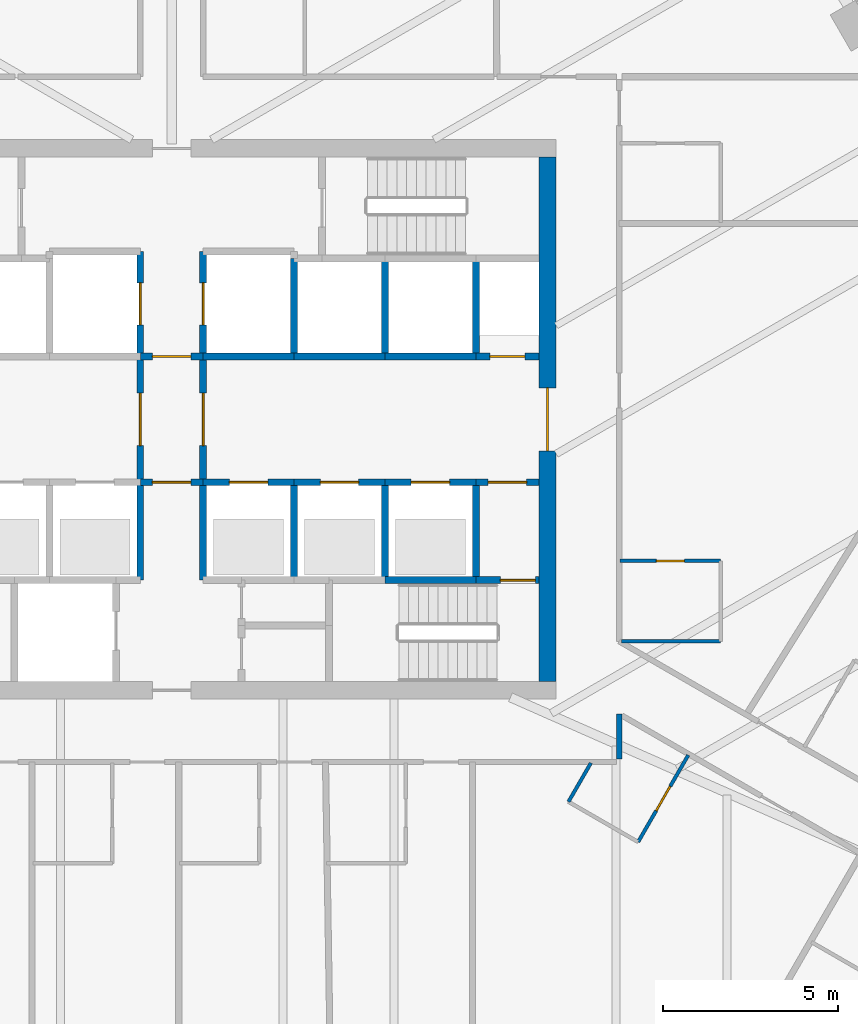
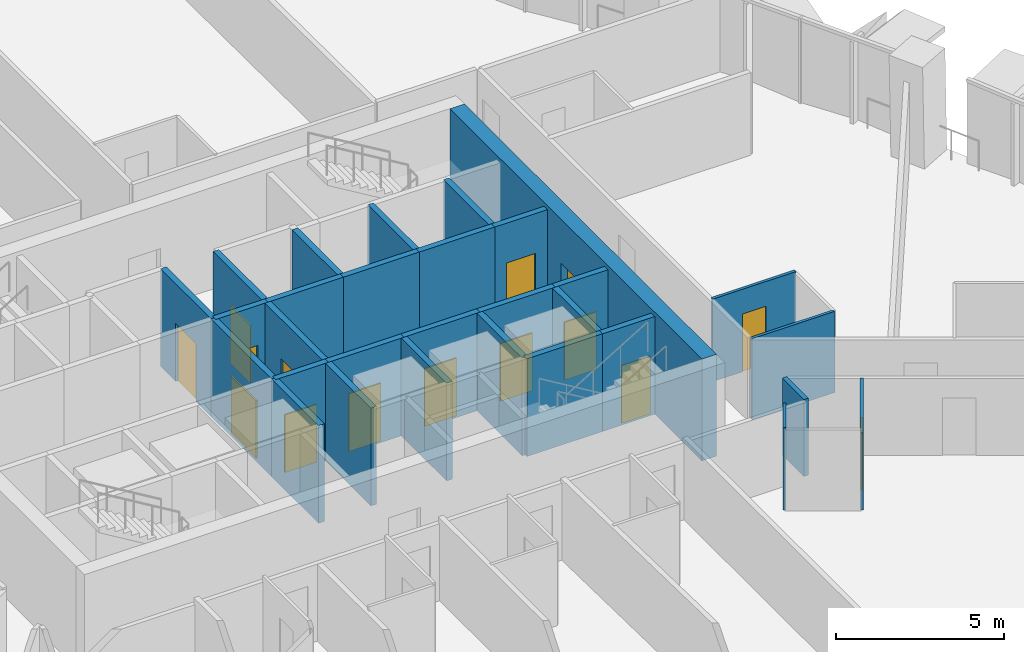
# One storey, part 17 of 24: 30 walls, 15 doors, 15 openings.
"""IFC4 building model written with IfcOpenShell, lengths in metres."""

from ifc_helpers import new_model, si_unit, direction, frame, frame_2d, origin, place, context, subcontext, project, spatial, rectangle, extrude, material, layer, layer_set, type_object, element, fill, save


model = new_model("IFC4")

# Units and contexts
model_context = context("Model", 3, precision=1e-05, world=origin(), true_north=direction((0.0, 1.0)))
body_context = subcontext(model_context, "Body", "Model", "MODEL_VIEW")
ifc_project = project(units=[si_unit("LENGTHUNIT", "METRE"), si_unit("AREAUNIT", "SQUARE_METRE"), si_unit("VOLUMEUNIT", "CUBIC_METRE"), si_unit("PLANEANGLEUNIT", "RADIAN"), si_unit("MASSUNIT", "GRAM", prefix="KILO")], contexts=[model_context])

# Site, building, storey
site_placement = place(None, origin())
site = spatial("IfcSite", under=ifc_project, at=site_placement, CompositionType="ELEMENT")
building_placement = place(site_placement, origin())
building = spatial("IfcBuilding", under=site, at=building_placement, Name="Sierra Prisma Convention Tower", CompositionType="ELEMENT")
storey_placement = place(building_placement, frame((0.0, 0.0, 55.39990234375)))
storey = spatial("IfcBuildingStorey", under=building, at=storey_placement, Name="L09", CompositionType="ELEMENT", Elevation=55.39990234375)

# Wall, opening, door
ifc_material_1 = material(Name="Gypsum board partition", Category="gypsum")
ifc_layer_1 = layer(ifc_material_1, 0.10009765625)
ifc_layer_set_1 = layer_set([ifc_layer_1], Name="Bathroom partition 100")
wall_type_1 = type_object("IfcWallType", Name="Bathroom partition 100", PredefinedType="PARTITIONING", material=ifc_layer_set_1)
wall_1_placement = place(storey_placement, frame((14.77685546875, -9.605224609375, 0.0), z_axis=(0.0, 0.0, 1.0), x_axis=(-0.499999802827, -0.866025517622, 0.0)))
wall_1 = element("IfcWall", 1, at=wall_1_placement, inside=storey, type_object=wall_type_1, Name="Partition L09 bath 25", PredefinedType="PARTITIONING", context=body_context, shape_type="SweptSolid", body=[
    extrude(rectangle(XDim=2.8701171875, YDim=0.10009765625, at=frame_2d((1.43505859375, 0.0))), origin(), (0.0, 0.0, 1.0), 2.797119140625),
])
opening_1_placement = place(wall_1_placement, frame((1.034912109375, 0.0, 0.0)))
opening_1 = element("IfcOpeningElement", 2, at=opening_1_placement, cuts=wall_1, Name="Opening L09-D014", PredefinedType="OPENING", context=body_context, shape_type="SweptSolid", body=[
    extrude(rectangle(XDim=0.800048828125, YDim=2.10009765625, at=frame_2d((0.39990234375, 1.050048828125))), frame((0.0, 0.050048828125, 0.0), z_axis=(0.0, -1.0, 0.0), x_axis=(1.0, 0.0, 0.0)), (0.0, 0.0, 1.0), 0.10009765625),
])
ifc_material_2 = material(Name="Solid core timber door leaf", Category="wood")
door_type_1 = type_object("IfcDoorType", Name="Door 800x2100 plain", OperationType="SINGLE_SWING_LEFT", PredefinedType="DOOR", material=ifc_material_2)
door_1_placement = place(opening_1_placement, origin())
door_1 = element("IfcDoor", 3, at=door_1_placement, inside=storey, type_object=door_type_1, Name="Door L09 31", OperationType="SINGLE_SWING_RIGHT", OverallHeight=2.10009765625, OverallWidth=0.800048828125, PredefinedType="DOOR", context=body_context, shape_type="SweptSolid", body=[
    extrude(rectangle(XDim=0.800048828125, YDim=2.10009765625, at=frame_2d((0.39990234375, 1.050048828125))), frame((0.0, 0.02490234375, 0.0), z_axis=(0.0, -1.0, 0.0), x_axis=(1.0, 0.0, 0.0)), (0.0, 0.0, 1.0), 0.050048828125),
])
fill(opening_1, door_1)

# Wall
wall_2_placement = place(storey_placement, frame((11.35009765625, -10.94091796875, 0.0), z_axis=(0.0, 0.0, 1.0), x_axis=(0.499865263774, 0.866103179807, 0.0)))
element("IfcWall", 4, at=wall_2_placement, inside=storey, type_object=wall_type_1, Name="Partition L09 bath 27", PredefinedType="PARTITIONING", context=body_context, shape_type="SweptSolid", body=[
    extrude(rectangle(XDim=1.282470703125, YDim=0.10009765625, at=frame_2d((0.64111328125, 0.0))), origin(), (0.0, 0.0, 1.0), 3.0),
])

# Wall, opening, door
wall_3_placement = place(storey_placement, frame((12.830078125, -4.05078125, 0.0), z_axis=(0.0, 0.0, 1.0), x_axis=(1.0, 0.0, 0.0)))
wall_3 = element("IfcWall", 5, at=wall_3_placement, inside=storey, type_object=wall_type_1, Name="Partition L09 bath 28", PredefinedType="PARTITIONING", context=body_context, shape_type="SweptSolid", body=[
    extrude(rectangle(XDim=2.869873046875, YDim=0.10009765625, at=frame_2d((1.43505859375, 0.0))), origin(), (0.0, 0.0, 1.0), 3.0),
])
opening_2_placement = place(wall_3_placement, frame((1.034912109375, 0.0, 0.0)))
opening_2 = element("IfcOpeningElement", 6, at=opening_2_placement, cuts=wall_3, Name="Opening L09-D001", PredefinedType="OPENING", context=body_context, shape_type="SweptSolid", body=[
    extrude(rectangle(XDim=0.800048828125, YDim=2.10009765625, at=frame_2d((0.39990234375, 1.050048828125))), frame((0.0, 0.050048828125, 0.0), z_axis=(0.0, -1.0, 0.0), x_axis=(1.0, 0.0, 0.0)), (0.0, 0.0, 1.0), 0.10009765625),
])
door_2_placement = place(opening_2_placement, origin())
door_2 = element("IfcDoor", 7, at=door_2_placement, inside=storey, type_object=door_type_1, Name="Door L09 2", OperationType="SINGLE_SWING_LEFT", OverallHeight=2.10009765625, OverallWidth=0.800048828125, PredefinedType="DOOR", context=body_context, shape_type="SweptSolid", body=[
    extrude(rectangle(XDim=0.800048828125, YDim=2.10009765625, at=frame_2d((0.39990234375, 1.050048828125))), frame((0.0, 0.02490234375, 0.0), z_axis=(0.0, -1.0, 0.0), x_axis=(1.0, 0.0, 0.0)), (0.0, 0.0, 1.0), 0.050048828125),
])
fill(opening_2, door_2)

# Wall
wall_4_placement = place(storey_placement, frame((15.699951171875, -6.350830078125, 0.0), z_axis=(0.0, 0.0, 1.0), x_axis=(-1.0, 0.0, 0.0)))
element("IfcWall", 8, at=wall_4_placement, inside=storey, type_object=wall_type_1, Name="Partition L09 bath 30", PredefinedType="PARTITIONING", context=body_context, shape_type="SweptSolid", body=[
    extrude(rectangle(XDim=2.83984375, YDim=0.10009765625, at=frame_2d((1.419921875, 0.0))), origin(), (0.0, 0.0, 1.0), 2.947021484375),
])

# Wall, opening, door
ifc_material_3 = material(Name="Concrete C30/37", Category="concrete")
ifc_layer_2 = layer(ifc_material_3, 0.199951171875)
ifc_layer_set_2 = layer_set([ifc_layer_2], Name="Core wall RC 200 C30/37")
wall_type_2 = type_object("IfcWallType", Name="Core wall RC 200 C30/37", PredefinedType="SOLIDWALL", material=ifc_layer_set_2)
wall_5_placement = place(storey_placement, frame((-0.89990234375, 1.800048828125, 0.0), z_axis=(0.0, 0.0, 1.0), x_axis=(0.0, 1.0, 0.0)))
wall_5 = element("IfcWall", 9, at=wall_5_placement, inside=storey, type_object=wall_type_2, Name="Core wall L09 26", PredefinedType="SOLIDWALL", context=body_context, shape_type="SweptSolid", body=[
    extrude(rectangle(XDim=3.0, YDim=0.199951171875, at=frame_2d((1.5, 0.0))), origin(), (0.0, 0.0, 1.0), 3.550048828125),
])
opening_3_placement = place(wall_5_placement, frame((0.89990234375, 0.0, 0.0)))
opening_3 = element("IfcOpeningElement", 10, at=opening_3_placement, cuts=wall_5, Name="Opening L09-D024", PredefinedType="OPENING", context=body_context, shape_type="SweptSolid", body=[
    extrude(rectangle(XDim=1.199951171875, YDim=2.10009765625, at=frame_2d((0.60009765625, 1.050048828125))), frame((0.0, 0.10009765625, 0.0), z_axis=(0.0, -1.0, 0.0), x_axis=(1.0, 0.0, 0.0)), (0.0, 0.0, 1.0), 0.199951171875),
])
ifc_material_4 = material(Name="Steel fire door leaf", Category="steel")
door_type_2 = type_object("IfcDoorType", Name="Door 1200x2100 EI 90 sliding lift landing", OperationType="SLIDING_TO_LEFT", PredefinedType="DOOR", material=ifc_material_4)
door_3_placement = place(opening_3_placement, origin())
door_3 = element("IfcDoor", 11, at=door_3_placement, inside=storey, type_object=door_type_2, Name="Door L09 44", OperationType="SLIDING_TO_RIGHT", OverallHeight=2.10009765625, OverallWidth=1.199951171875, PredefinedType="DOOR", context=body_context, shape_type="SweptSolid", body=[
    extrude(rectangle(XDim=1.199951171875, YDim=2.10009765625, at=frame_2d((0.60009765625, 1.050048828125))), frame((0.0, 0.02490234375, 0.0), z_axis=(0.0, -1.0, 0.0), x_axis=(1.0, 0.0, 0.0)), (0.0, 0.0, 1.0), 0.050048828125),
])
fill(opening_3, door_3)

# Wall
wall_6_placement = place(storey_placement, frame((-0.89990234375, -4.60009765625, 0.0), z_axis=(0.0, 0.0, 1.0), x_axis=(0.0, 1.0, 0.0)))
element("IfcWall", 12, at=wall_6_placement, inside=storey, type_object=wall_type_2, Name="Core wall L09 31", PredefinedType="SOLIDWALL", context=body_context, shape_type="SweptSolid", body=[
    extrude(rectangle(XDim=2.800048828125, YDim=0.199951171875, at=frame_2d((1.39990234375, 0.0))), origin(), (0.0, 0.0, 1.0), 3.550048828125),
])

# Wall, opening, door
wall_7_placement = place(storey_placement, frame((-0.89990234375, -1.800048828125, 0.0), z_axis=(0.0, 0.0, 1.0), x_axis=(1.0, 0.0, 0.0)))
wall_7 = element("IfcWall", 13, at=wall_7_placement, inside=storey, type_object=wall_type_2, Name="Core wall L09 32", PredefinedType="SOLIDWALL", context=body_context, shape_type="SweptSolid", body=[
    extrude(rectangle(XDim=1.7998046875, YDim=0.199951171875, at=frame_2d((0.89990234375, 0.0))), origin(), (0.0, 0.0, 1.0), 3.550048828125),
])
opening_4_placement = place(wall_7_placement, frame((0.35009765625, 0.0, 0.0)))
opening_4 = element("IfcOpeningElement", 14, at=opening_4_placement, cuts=wall_7, Name="Opening L09-D032", PredefinedType="OPENING", context=body_context, shape_type="SweptSolid", body=[
    extrude(rectangle(XDim=1.10009765625, YDim=2.10009765625, at=frame_2d((0.550048828125, 1.050048828125))), frame((0.0, 0.10009765625, 0.0), z_axis=(0.0, -1.0, 0.0), x_axis=(1.0, 0.0, 0.0)), (0.0, 0.0, 1.0), 0.199951171875),
])
ifc_material_5 = material(Name="Steel fire door leaf", Category="steel")
door_type_3 = type_object("IfcDoorType", Name="Door 1100x2100 FD30S", OperationType="SINGLE_SWING_LEFT", PredefinedType="DOOR", material=ifc_material_5)
door_4_placement = place(opening_4_placement, origin())
door_4 = element("IfcDoor", 15, at=door_4_placement, inside=storey, type_object=door_type_3, Name="Door L09 52", OperationType="SINGLE_SWING_RIGHT", OverallHeight=2.10009765625, OverallWidth=1.10009765625, PredefinedType="DOOR", context=body_context, shape_type="SweptSolid", body=[
    extrude(rectangle(XDim=1.10009765625, YDim=2.10009765625, at=frame_2d((0.550048828125, 1.050048828125))), frame((0.0, 0.02490234375, 0.0), z_axis=(0.0, -1.0, 0.0), x_axis=(1.0, 0.0, 0.0)), (0.0, 0.0, 1.0), 0.050048828125),
])
fill(opening_4, door_4)

wall_8_placement = place(storey_placement, frame((-0.89990234375, 1.800048828125, 0.0), z_axis=(0.0, 0.0, 1.0), x_axis=(0.0, -1.0, 0.0)))
wall_8 = element("IfcWall", 16, at=wall_8_placement, inside=storey, type_object=wall_type_2, Name="Core wall L09 33", PredefinedType="SOLIDWALL", context=body_context, shape_type="SweptSolid", body=[
    extrude(rectangle(XDim=3.60009765625, YDim=0.199951171875, at=frame_2d((1.800048828125, 0.0))), origin(), (0.0, 0.0, 1.0), 3.550048828125),
])
opening_5_placement = place(wall_8_placement, frame((1.050048828125, 0.0, 0.0)))
opening_5 = element("IfcOpeningElement", 17, at=opening_5_placement, cuts=wall_8, Name="Opening L09-D027", PredefinedType="OPENING", context=body_context, shape_type="SweptSolid", body=[
    extrude(rectangle(XDim=1.5, YDim=2.10009765625, at=frame_2d((0.75, 1.050048828125))), frame((0.0, 0.10009765625, 0.0), z_axis=(0.0, -1.0, 0.0), x_axis=(1.0, 0.0, 0.0)), (0.0, 0.0, 1.0), 0.199951171875),
])
ifc_material_6 = material(Name="Steel fire door leaf", Category="steel")
door_type_4 = type_object("IfcDoorType", Name="Door 1500x2100 FD30S", OperationType="DOUBLE_DOOR_SINGLE_SWING", PredefinedType="DOOR", material=ifc_material_6)
door_5_placement = place(opening_5_placement, origin())
door_5 = element("IfcDoor", 18, at=door_5_placement, inside=storey, type_object=door_type_4, Name="Door L09 47", OperationType="DOUBLE_DOOR_SINGLE_SWING", OverallHeight=2.10009765625, OverallWidth=1.5, PredefinedType="DOOR", context=body_context, shape_type="SweptSolid", body=[
    extrude(rectangle(XDim=1.5, YDim=2.10009765625, at=frame_2d((0.75, 1.050048828125))), frame((0.0, 0.02490234375, 0.0), z_axis=(0.0, -1.0, 0.0), x_axis=(1.0, 0.0, 0.0)), (0.0, 0.0, 1.0), 0.050048828125),
])
fill(opening_5, door_5)

wall_9_placement = place(storey_placement, frame((0.89990234375, 1.800048828125, 0.0), z_axis=(0.0, 0.0, 1.0), x_axis=(-1.0, 0.0, 0.0)))
wall_9 = element("IfcWall", 19, at=wall_9_placement, inside=storey, type_object=wall_type_2, Name="Core wall L09 34", PredefinedType="SOLIDWALL", context=body_context, shape_type="SweptSolid", body=[
    extrude(rectangle(XDim=1.7998046875, YDim=0.199951171875, at=frame_2d((0.89990234375, 0.0))), origin(), (0.0, 0.0, 1.0), 3.550048828125),
])
opening_6_placement = place(wall_9_placement, frame((0.35009765625, 0.0, 0.0)))
opening_6 = element("IfcOpeningElement", 20, at=opening_6_placement, cuts=wall_9, Name="Opening L09-D031", PredefinedType="OPENING", context=body_context, shape_type="SweptSolid", body=[
    extrude(rectangle(XDim=1.10009765625, YDim=2.10009765625, at=frame_2d((0.550048828125, 1.050048828125))), frame((0.0, 0.10009765625, 0.0), z_axis=(0.0, -1.0, 0.0), x_axis=(1.0, 0.0, 0.0)), (0.0, 0.0, 1.0), 0.199951171875),
])
ifc_material_7 = material(Name="Steel fire door leaf", Category="steel")
door_type_5 = type_object("IfcDoorType", Name="Door 1100x2100 FD60S", OperationType="SINGLE_SWING_LEFT", PredefinedType="DOOR", material=ifc_material_7)
door_6_placement = place(opening_6_placement, origin())
door_6 = element("IfcDoor", 21, at=door_6_placement, inside=storey, type_object=door_type_5, Name="Door L09 51", OperationType="SINGLE_SWING_RIGHT", OverallHeight=2.10009765625, OverallWidth=1.10009765625, PredefinedType="DOOR", context=body_context, shape_type="SweptSolid", body=[
    extrude(rectangle(XDim=1.10009765625, YDim=2.10009765625, at=frame_2d((0.550048828125, 1.050048828125))), frame((0.0, 0.02490234375, 0.0), z_axis=(0.0, -1.0, 0.0), x_axis=(1.0, 0.0, 0.0)), (0.0, 0.0, 1.0), 0.050048828125),
])
fill(opening_6, door_6)

wall_10_placement = place(storey_placement, frame((0.89990234375, -1.800048828125, 0.0), z_axis=(0.0, 0.0, 1.0), x_axis=(1.0, 0.0, 0.0)))
wall_10 = element("IfcWall", 22, at=wall_10_placement, inside=storey, type_object=wall_type_2, Name="Core wall L09 35", PredefinedType="SOLIDWALL", context=body_context, shape_type="SweptSolid", body=[
    extrude(rectangle(XDim=2.60009765625, YDim=0.199951171875, at=frame_2d((1.300048828125, 0.0))), origin(), (0.0, 0.0, 1.0), 3.550048828125),
])
opening_7_placement = place(wall_10_placement, frame((0.75, 0.0, 0.0)))
opening_7 = element("IfcOpeningElement", 23, at=opening_7_placement, cuts=wall_10, Name="Opening L09-D021", PredefinedType="OPENING", context=body_context, shape_type="SweptSolid", body=[
    extrude(rectangle(XDim=1.10009765625, YDim=2.10009765625, at=frame_2d((0.550048828125, 1.050048828125))), frame((0.0, 0.10009765625, 0.0), z_axis=(0.0, -1.0, 0.0), x_axis=(1.0, 0.0, 0.0)), (0.0, 0.0, 1.0), 0.199951171875),
])
ifc_material_8 = material(Name="Steel fire door leaf", Category="steel")
door_type_6 = type_object("IfcDoorType", Name="Door 1100x2100 EI 90 sliding lift landing", OperationType="SLIDING_TO_LEFT", PredefinedType="DOOR", material=ifc_material_8)
door_7_placement = place(opening_7_placement, origin())
door_7 = element("IfcDoor", 24, at=door_7_placement, inside=storey, type_object=door_type_6, Name="Door L09 41", OperationType="SLIDING_TO_RIGHT", OverallHeight=2.10009765625, OverallWidth=1.10009765625, PredefinedType="DOOR", context=body_context, shape_type="SweptSolid", body=[
    extrude(rectangle(XDim=1.10009765625, YDim=2.10009765625, at=frame_2d((0.550048828125, 1.050048828125))), frame((0.0, 0.02490234375, 0.0), z_axis=(0.0, -1.0, 0.0), x_axis=(1.0, 0.0, 0.0)), (0.0, 0.0, 1.0), 0.050048828125),
])
fill(opening_7, door_7)

wall_11_placement = place(storey_placement, frame((0.89990234375, -1.800048828125, 0.0), z_axis=(0.0, 0.0, 1.0), x_axis=(0.0, 1.0, 0.0)))
wall_11 = element("IfcWall", 25, at=wall_11_placement, inside=storey, type_object=wall_type_2, Name="Core wall L09 36", PredefinedType="SOLIDWALL", context=body_context, shape_type="SweptSolid", body=[
    extrude(rectangle(XDim=3.60009765625, YDim=0.199951171875, at=frame_2d((1.800048828125, 0.0))), origin(), (0.0, 0.0, 1.0), 3.550048828125),
])
opening_8_placement = place(wall_11_placement, frame((1.050048828125, 0.0, 0.0)))
opening_8 = element("IfcOpeningElement", 26, at=opening_8_placement, cuts=wall_11, Name="Opening L09-D028", PredefinedType="OPENING", context=body_context, shape_type="SweptSolid", body=[
    extrude(rectangle(XDim=1.5, YDim=2.10009765625, at=frame_2d((0.75, 1.050048828125))), frame((0.0, 0.10009765625, 0.0), z_axis=(0.0, -1.0, 0.0), x_axis=(1.0, 0.0, 0.0)), (0.0, 0.0, 1.0), 0.199951171875),
])
door_8_placement = place(opening_8_placement, origin())
door_8 = element("IfcDoor", 27, at=door_8_placement, inside=storey, type_object=door_type_4, Name="Door L09 48", OperationType="DOUBLE_DOOR_SINGLE_SWING", OverallHeight=2.10009765625, OverallWidth=1.5, PredefinedType="DOOR", context=body_context, shape_type="SweptSolid", body=[
    extrude(rectangle(XDim=1.5, YDim=2.10009765625, at=frame_2d((0.75, 1.050048828125))), frame((0.0, 0.02490234375, 0.0), z_axis=(0.0, -1.0, 0.0), x_axis=(1.0, 0.0, 0.0)), (0.0, 0.0, 1.0), 0.050048828125),
])
fill(opening_8, door_8)

# Walls
wall_12_placement = place(storey_placement, frame((0.89990234375, -1.800048828125, 0.0), z_axis=(0.0, 0.0, 1.0), x_axis=(0.0, -1.0, 0.0)))
element("IfcWall", 28, at=wall_12_placement, inside=storey, type_object=wall_type_2, Name="Core wall L09 37", PredefinedType="SOLIDWALL", context=body_context, shape_type="SweptSolid", body=[
    extrude(rectangle(XDim=2.800048828125, YDim=0.199951171875, at=frame_2d((1.39990234375, 0.0))), origin(), (0.0, 0.0, 1.0), 3.550048828125),
])
wall_13_placement = place(storey_placement, frame((3.5, 1.800048828125, 0.0), z_axis=(0.0, 0.0, 1.0), x_axis=(-1.0, 0.0, 0.0)))
element("IfcWall", 29, at=wall_13_placement, inside=storey, type_object=wall_type_2, Name="Core wall L09 39", PredefinedType="SOLIDWALL", context=body_context, shape_type="SweptSolid", body=[
    extrude(rectangle(XDim=2.60009765625, YDim=0.199951171875, at=frame_2d((1.300048828125, 0.0))), origin(), (0.0, 0.0, 1.0), 3.550048828125),
])

# Wall, opening, door
wall_14_placement = place(storey_placement, frame((0.89990234375, 4.800048828125, 0.0), z_axis=(0.0, 0.0, 1.0), x_axis=(0.0, -1.0, 0.0)))
wall_14 = element("IfcWall", 30, at=wall_14_placement, inside=storey, type_object=wall_type_2, Name="Core wall L09 42", PredefinedType="SOLIDWALL", context=body_context, shape_type="SweptSolid", body=[
    extrude(rectangle(XDim=3.0, YDim=0.199951171875, at=frame_2d((1.5, 0.0))), origin(), (0.0, 0.0, 1.0), 3.550048828125),
])
opening_9_placement = place(wall_14_placement, frame((0.89990234375, 0.0, 0.0)))
opening_9 = element("IfcOpeningElement", 31, at=opening_9_placement, cuts=wall_14, Name="Opening L09-D025", PredefinedType="OPENING", context=body_context, shape_type="SweptSolid", body=[
    extrude(rectangle(XDim=1.199951171875, YDim=2.10009765625, at=frame_2d((0.60009765625, 1.050048828125))), frame((0.0, 0.10009765625, 0.0), z_axis=(0.0, -1.0, 0.0), x_axis=(1.0, 0.0, 0.0)), (0.0, 0.0, 1.0), 0.199951171875),
])
door_9_placement = place(opening_9_placement, origin())
door_9 = element("IfcDoor", 32, at=door_9_placement, inside=storey, type_object=door_type_2, Name="Door L09 45", OperationType="SLIDING_TO_RIGHT", OverallHeight=2.10009765625, OverallWidth=1.199951171875, PredefinedType="DOOR", context=body_context, shape_type="SweptSolid", body=[
    extrude(rectangle(XDim=1.199951171875, YDim=2.10009765625, at=frame_2d((0.60009765625, 1.050048828125))), frame((0.0, 0.02490234375, 0.0), z_axis=(0.0, -1.0, 0.0), x_axis=(1.0, 0.0, 0.0)), (0.0, 0.0, 1.0), 0.050048828125),
])
fill(opening_9, door_9)

# Wall
wall_15_placement = place(storey_placement, frame((3.5, -4.60009765625, 0.0), z_axis=(0.0, 0.0, 1.0), x_axis=(0.0, 1.0, 0.0)))
element("IfcWall", 33, at=wall_15_placement, inside=storey, type_object=wall_type_2, Name="Core wall L09 48", PredefinedType="SOLIDWALL", context=body_context, shape_type="SweptSolid", body=[
    extrude(rectangle(XDim=2.800048828125, YDim=0.199951171875, at=frame_2d((1.39990234375, 0.0))), origin(), (0.0, 0.0, 1.0), 3.550048828125),
])

# Wall, opening, door
wall_16_placement = place(storey_placement, frame((3.5, -1.800048828125, 0.0), z_axis=(0.0, 0.0, 1.0), x_axis=(1.0, 0.0, 0.0)))
wall_16 = element("IfcWall", 34, at=wall_16_placement, inside=storey, type_object=wall_type_2, Name="Core wall L09 49", PredefinedType="SOLIDWALL", context=body_context, shape_type="SweptSolid", body=[
    extrude(rectangle(XDim=2.60009765625, YDim=0.199951171875, at=frame_2d((1.300048828125, 0.0))), origin(), (0.0, 0.0, 1.0), 3.550048828125),
])
opening_10_placement = place(wall_16_placement, frame((0.75, 0.0, 0.0)))
opening_10 = element("IfcOpeningElement", 35, at=opening_10_placement, cuts=wall_16, Name="Opening L09-D022", PredefinedType="OPENING", context=body_context, shape_type="SweptSolid", body=[
    extrude(rectangle(XDim=1.10009765625, YDim=2.10009765625, at=frame_2d((0.550048828125, 1.050048828125))), frame((0.0, 0.10009765625, 0.0), z_axis=(0.0, -1.0, 0.0), x_axis=(1.0, 0.0, 0.0)), (0.0, 0.0, 1.0), 0.199951171875),
])
door_10_placement = place(opening_10_placement, origin())
door_10 = element("IfcDoor", 36, at=door_10_placement, inside=storey, type_object=door_type_6, Name="Door L09 42", OperationType="SLIDING_TO_RIGHT", OverallHeight=2.10009765625, OverallWidth=1.10009765625, PredefinedType="DOOR", context=body_context, shape_type="SweptSolid", body=[
    extrude(rectangle(XDim=1.10009765625, YDim=2.10009765625, at=frame_2d((0.550048828125, 1.050048828125))), frame((0.0, 0.02490234375, 0.0), z_axis=(0.0, -1.0, 0.0), x_axis=(1.0, 0.0, 0.0)), (0.0, 0.0, 1.0), 0.050048828125),
])
fill(opening_10, door_10)

# Walls
wall_17_placement = place(storey_placement, frame((6.10009765625, 1.800048828125, 0.0), z_axis=(0.0, 0.0, 1.0), x_axis=(-1.0, 0.0, 0.0)))
element("IfcWall", 37, at=wall_17_placement, inside=storey, type_object=wall_type_2, Name="Core wall L09 50", PredefinedType="SOLIDWALL", context=body_context, shape_type="SweptSolid", body=[
    extrude(rectangle(XDim=2.60009765625, YDim=0.199951171875, at=frame_2d((1.300048828125, 0.0))), origin(), (0.0, 0.0, 1.0), 3.550048828125),
])
wall_18_placement = place(storey_placement, frame((3.5, 1.800048828125, 0.0), z_axis=(0.0, 0.0, 1.0), x_axis=(0.0, 1.0, 0.0)))
element("IfcWall", 38, at=wall_18_placement, inside=storey, type_object=wall_type_2, Name="Core wall L09 51", PredefinedType="SOLIDWALL", context=body_context, shape_type="SweptSolid", body=[
    extrude(rectangle(XDim=2.800048828125, YDim=0.199951171875, at=frame_2d((1.39990234375, 0.0))), origin(), (0.0, 0.0, 1.0), 3.550048828125),
])
wall_19_placement = place(storey_placement, frame((6.10009765625, -4.60009765625, 0.0), z_axis=(0.0, 0.0, 1.0), x_axis=(1.0, 0.0, 0.0)))
element("IfcWall", 39, at=wall_19_placement, inside=storey, type_object=wall_type_2, Name="Core wall L09 58", PredefinedType="SOLIDWALL", context=body_context, shape_type="SweptSolid", body=[
    extrude(rectangle(XDim=2.599853515625, YDim=0.199951171875, at=frame_2d((1.2998046875, 0.0))), origin(), (0.0, 0.0, 1.0), 3.550048828125),
])
wall_20_placement = place(storey_placement, frame((6.10009765625, -4.60009765625, 0.0), z_axis=(0.0, 0.0, 1.0), x_axis=(0.0, 1.0, 0.0)))
element("IfcWall", 40, at=wall_20_placement, inside=storey, type_object=wall_type_2, Name="Core wall L09 59", PredefinedType="SOLIDWALL", context=body_context, shape_type="SweptSolid", body=[
    extrude(rectangle(XDim=2.800048828125, YDim=0.199951171875, at=frame_2d((1.39990234375, 0.0))), origin(), (0.0, 0.0, 1.0), 3.550048828125),
])

# Wall, opening, door
wall_21_placement = place(storey_placement, frame((6.10009765625, -1.800048828125, 0.0), z_axis=(0.0, 0.0, 1.0), x_axis=(1.0, 0.0, 0.0)))
wall_21 = element("IfcWall", 41, at=wall_21_placement, inside=storey, type_object=wall_type_2, Name="Core wall L09 60", PredefinedType="SOLIDWALL", context=body_context, shape_type="SweptSolid", body=[
    extrude(rectangle(XDim=2.599853515625, YDim=0.199951171875, at=frame_2d((1.2998046875, 0.0))), origin(), (0.0, 0.0, 1.0), 3.550048828125),
])
opening_11_placement = place(wall_21_placement, frame((0.75, 0.0, 0.0)))
opening_11 = element("IfcOpeningElement", 42, at=opening_11_placement, cuts=wall_21, Name="Opening L09-D023", PredefinedType="OPENING", context=body_context, shape_type="SweptSolid", body=[
    extrude(rectangle(XDim=1.10009765625, YDim=2.10009765625, at=frame_2d((0.550048828125, 1.050048828125))), frame((0.0, 0.10009765625, 0.0), z_axis=(0.0, -1.0, 0.0), x_axis=(1.0, 0.0, 0.0)), (0.0, 0.0, 1.0), 0.199951171875),
])
door_11_placement = place(opening_11_placement, origin())
door_11 = element("IfcDoor", 43, at=door_11_placement, inside=storey, type_object=door_type_6, Name="Door L09 43", OperationType="SLIDING_TO_LEFT", OverallHeight=2.10009765625, OverallWidth=1.10009765625, PredefinedType="DOOR", context=body_context, shape_type="SweptSolid", body=[
    extrude(rectangle(XDim=1.10009765625, YDim=2.10009765625, at=frame_2d((0.550048828125, 1.050048828125))), frame((0.0, 0.02490234375, 0.0), z_axis=(0.0, -1.0, 0.0), x_axis=(1.0, 0.0, 0.0)), (0.0, 0.0, 1.0), 0.050048828125),
])
fill(opening_11, door_11)

# Walls
wall_22_placement = place(storey_placement, frame((8.699951171875, 1.800048828125, 0.0), z_axis=(0.0, 0.0, 1.0), x_axis=(-1.0, 0.0, 0.0)))
element("IfcWall", 44, at=wall_22_placement, inside=storey, type_object=wall_type_2, Name="Core wall L09 61", PredefinedType="SOLIDWALL", context=body_context, shape_type="SweptSolid", body=[
    extrude(rectangle(XDim=2.599853515625, YDim=0.199951171875, at=frame_2d((1.2998046875, 0.0))), origin(), (0.0, 0.0, 1.0), 3.550048828125),
])
wall_23_placement = place(storey_placement, frame((6.10009765625, 1.800048828125, 0.0), z_axis=(0.0, 0.0, 1.0), x_axis=(0.0, 1.0, 0.0)))
element("IfcWall", 45, at=wall_23_placement, inside=storey, type_object=wall_type_2, Name="Core wall L09 62", PredefinedType="SOLIDWALL", context=body_context, shape_type="SweptSolid", body=[
    extrude(rectangle(XDim=2.800048828125, YDim=0.199951171875, at=frame_2d((1.39990234375, 0.0))), origin(), (0.0, 0.0, 1.0), 3.550048828125),
])

# Wall, opening, door
wall_24_placement = place(storey_placement, frame((8.699951171875, -4.60009765625, 0.0), z_axis=(0.0, 0.0, 1.0), x_axis=(1.0, 0.0, 0.0)))
wall_24 = element("IfcWall", 46, at=wall_24_placement, inside=storey, type_object=wall_type_2, Name="Core wall L09 64", PredefinedType="SOLIDWALL", context=body_context, shape_type="SweptSolid", body=[
    extrude(rectangle(XDim=1.800048828125, YDim=0.199951171875, at=frame_2d((0.89990234375, 0.0))), origin(), (0.0, 0.0, 1.0), 3.550048828125),
])
opening_12_placement = place(wall_24_placement, frame((0.699951171875, 0.0, 0.0)))
opening_12 = element("IfcOpeningElement", 47, at=opening_12_placement, cuts=wall_24, Name="Opening L09-D036", PredefinedType="OPENING", context=body_context, shape_type="SweptSolid", body=[
    extrude(rectangle(XDim=1.0, YDim=2.10009765625, at=frame_2d((0.5, 1.050048828125))), frame((0.0, 0.10009765625, 0.0), z_axis=(0.0, -1.0, 0.0), x_axis=(1.0, 0.0, 0.0)), (0.0, 0.0, 1.0), 0.199951171875),
])
ifc_material_9 = material(Name="Steel fire door leaf", Category="steel")
door_type_7 = type_object("IfcDoorType", Name="Door 1000x2100 FD90S", OperationType="SINGLE_SWING_LEFT", PredefinedType="DOOR", material=ifc_material_9)
door_12_placement = place(opening_12_placement, origin())
door_12 = element("IfcDoor", 48, at=door_12_placement, inside=storey, type_object=door_type_7, Name="Door L09 56", OperationType="SINGLE_SWING_RIGHT", OverallHeight=2.10009765625, OverallWidth=1.0, PredefinedType="DOOR", context=body_context, shape_type="SweptSolid", body=[
    extrude(rectangle(XDim=1.0, YDim=2.10009765625, at=frame_2d((0.5, 1.050048828125))), frame((0.0, 0.02490234375, 0.0), z_axis=(0.0, -1.0, 0.0), x_axis=(1.0, 0.0, 0.0)), (0.0, 0.0, 1.0), 0.050048828125),
])
fill(opening_12, door_12)

# Wall
wall_25_placement = place(storey_placement, frame((8.699951171875, -1.800048828125, 0.0), z_axis=(0.0, 0.0, 1.0), x_axis=(0.0, -1.0, 0.0)))
element("IfcWall", 49, at=wall_25_placement, inside=storey, type_object=wall_type_2, Name="Core wall L09 65", PredefinedType="SOLIDWALL", context=body_context, shape_type="SweptSolid", body=[
    extrude(rectangle(XDim=2.800048828125, YDim=0.199951171875, at=frame_2d((1.39990234375, 0.0))), origin(), (0.0, 0.0, 1.0), 3.550048828125),
])

# Wall, opening, door
wall_26_placement = place(storey_placement, frame((8.699951171875, -1.800048828125, 0.0), z_axis=(0.0, 0.0, 1.0), x_axis=(1.0, 0.0, 0.0)))
wall_26 = element("IfcWall", 50, at=wall_26_placement, inside=storey, type_object=wall_type_2, Name="Core wall L09 66", PredefinedType="SOLIDWALL", context=body_context, shape_type="SweptSolid", body=[
    extrude(rectangle(XDim=1.800048828125, YDim=0.199951171875, at=frame_2d((0.89990234375, 0.0))), origin(), (0.0, 0.0, 1.0), 3.550048828125),
])
opening_13_placement = place(wall_26_placement, frame((0.35009765625, 0.0, 0.0)))
opening_13 = element("IfcOpeningElement", 51, at=opening_13_placement, cuts=wall_26, Name="Opening L09-D030", PredefinedType="OPENING", context=body_context, shape_type="SweptSolid", body=[
    extrude(rectangle(XDim=1.10009765625, YDim=2.10009765625, at=frame_2d((0.550048828125, 1.050048828125))), frame((0.0, 0.10009765625, 0.0), z_axis=(0.0, -1.0, 0.0), x_axis=(1.0, 0.0, 0.0)), (0.0, 0.0, 1.0), 0.199951171875),
])
ifc_material_10 = material(Name="Steel fire door leaf", Category="steel")
door_type_8 = type_object("IfcDoorType", Name="Door 1100x2100 FD90S", OperationType="SINGLE_SWING_LEFT", PredefinedType="DOOR", material=ifc_material_10)
door_13_placement = place(opening_13_placement, origin())
door_13 = element("IfcDoor", 52, at=door_13_placement, inside=storey, type_object=door_type_8, Name="Door L09 50", OperationType="SINGLE_SWING_LEFT", OverallHeight=2.10009765625, OverallWidth=1.10009765625, PredefinedType="DOOR", context=body_context, shape_type="SweptSolid", body=[
    extrude(rectangle(XDim=1.10009765625, YDim=2.10009765625, at=frame_2d((0.550048828125, 1.050048828125))), frame((0.0, 0.02490234375, 0.0), z_axis=(0.0, -1.0, 0.0), x_axis=(1.0, 0.0, 0.0)), (0.0, 0.0, 1.0), 0.050048828125),
])
fill(opening_13, door_13)

wall_27_placement = place(storey_placement, frame((10.5, 1.800048828125, 0.0), z_axis=(0.0, 0.0, 1.0), x_axis=(-1.0, 0.0, 0.0)))
wall_27 = element("IfcWall", 53, at=wall_27_placement, inside=storey, type_object=wall_type_2, Name="Core wall L09 67", PredefinedType="SOLIDWALL", context=body_context, shape_type="SweptSolid", body=[
    extrude(rectangle(XDim=1.800048828125, YDim=0.199951171875, at=frame_2d((0.89990234375, 0.0))), origin(), (0.0, 0.0, 1.0), 3.550048828125),
])
opening_14_placement = place(wall_27_placement, frame((0.39990234375, 0.0, 0.0)))
opening_14 = element("IfcOpeningElement", 54, at=opening_14_placement, cuts=wall_27, Name="Opening L09-D034", PredefinedType="OPENING", context=body_context, shape_type="SweptSolid", body=[
    extrude(rectangle(XDim=1.0, YDim=2.10009765625, at=frame_2d((0.5, 1.050048828125))), frame((0.0, 0.10009765625, 0.0), z_axis=(0.0, -1.0, 0.0), x_axis=(1.0, 0.0, 0.0)), (0.0, 0.0, 1.0), 0.199951171875),
])
ifc_material_11 = material(Name="Steel fire door leaf", Category="steel")
door_type_9 = type_object("IfcDoorType", Name="Door 1000x2100 FD60S", OperationType="SINGLE_SWING_LEFT", PredefinedType="DOOR", material=ifc_material_11)
door_14_placement = place(opening_14_placement, origin())
door_14 = element("IfcDoor", 55, at=door_14_placement, inside=storey, type_object=door_type_9, Name="Door L09 54", OperationType="SINGLE_SWING_LEFT", OverallHeight=2.10009765625, OverallWidth=1.0, PredefinedType="DOOR", context=body_context, shape_type="SweptSolid", body=[
    extrude(rectangle(XDim=1.0, YDim=2.10009765625, at=frame_2d((0.5, 1.050048828125))), frame((0.0, 0.02490234375, 0.0), z_axis=(0.0, -1.0, 0.0), x_axis=(1.0, 0.0, 0.0)), (0.0, 0.0, 1.0), 0.050048828125),
])
fill(opening_14, door_14)

# Wall
wall_28_placement = place(storey_placement, frame((8.699951171875, 4.60009765625, 0.0), z_axis=(0.0, 0.0, 1.0), x_axis=(0.0, -1.0, 0.0)))
element("IfcWall", 56, at=wall_28_placement, inside=storey, type_object=wall_type_2, Name="Core wall L09 68", PredefinedType="SOLIDWALL", context=body_context, shape_type="SweptSolid", body=[
    extrude(rectangle(XDim=2.800048828125, YDim=0.199951171875, at=frame_2d((1.39990234375, 0.0))), origin(), (0.0, 0.0, 1.0), 3.550048828125),
])

# Wall, opening, door
ifc_material_12 = material(Name="Concrete C60/75", Category="concrete")
ifc_layer_3 = layer(ifc_material_12, 0.5)
ifc_layer_set_3 = layer_set([ifc_layer_3], Name="Core wall RC 500 C60/75")
wall_type_3 = type_object("IfcWallType", Name="Core wall RC 500 C60/75", PredefinedType="SHEAR", material=ifc_layer_set_3)
wall_29_placement = place(storey_placement, frame((10.75, -7.5, 0.0), z_axis=(0.0, 0.0, 1.0), x_axis=(0.0, 1.0, 0.0)))
wall_29 = element("IfcWall", 57, at=wall_29_placement, inside=storey, type_object=wall_type_3, Name="Core wall E L09", PredefinedType="SHEAR", context=body_context, shape_type="SweptSolid", body=[
    extrude(rectangle(XDim=15.0, YDim=0.5, at=frame_2d((7.5, 0.0))), origin(), (0.0, 0.0, 1.0), 3.7001953125),
])
opening_15_placement = place(wall_29_placement, frame((6.60009765625, 0.0, 0.0)))
opening_15 = element("IfcOpeningElement", 58, at=opening_15_placement, cuts=wall_29, Name="Opening L09-D061", PredefinedType="OPENING", context=body_context, shape_type="SweptSolid", body=[
    extrude(rectangle(XDim=1.800048828125, YDim=2.10009765625, at=frame_2d((0.89990234375, 1.050048828125))), frame((0.0, 0.25, 0.0), z_axis=(0.0, -1.0, 0.0), x_axis=(1.0, 0.0, 0.0)), (0.0, 0.0, 1.0), 0.5),
])
ifc_material_13 = material(Name="Steel fire door leaf", Category="steel")
door_type_10 = type_object("IfcDoorType", Name="Door 1800x2100 FD60S", OperationType="DOUBLE_DOOR_SINGLE_SWING", PredefinedType="DOOR", material=ifc_material_13)
door_15_placement = place(opening_15_placement, origin())
door_15 = element("IfcDoor", 59, at=door_15_placement, inside=storey, type_object=door_type_10, Name="Door L09 62", OperationType="DOUBLE_DOOR_SINGLE_SWING", OverallHeight=2.10009765625, OverallWidth=1.800048828125, PredefinedType="DOOR", context=body_context, shape_type="SweptSolid", body=[
    extrude(rectangle(XDim=1.800048828125, YDim=2.10009765625, at=frame_2d((0.89990234375, 1.050048828125))), frame((0.0, 0.02490234375, 0.0), z_axis=(0.0, -1.0, 0.0), x_axis=(1.0, 0.0, 0.0)), (0.0, 0.0, 1.0), 0.050048828125),
])
fill(opening_15, door_15)

# Wall
ifc_material_14 = material(Name="Gypsum board partition", Category="gypsum")
ifc_layer_4 = layer(ifc_material_14, 0.14990234375)
ifc_layer_set_4 = layer_set([ifc_layer_4], Name="Corridor wall 150 gypsum EI 60")
wall_type_4 = type_object("IfcWallType", Name="Corridor wall 150 gypsum EI 60", PredefinedType="PARTITIONING", material=ifc_layer_set_4)
wall_30_placement = place(storey_placement, frame((12.800048828125, -9.719970703125, 0.0), z_axis=(0.0, 0.0, 1.0), x_axis=(0.0, 1.0, 0.0)))
element("IfcWall", 60, at=wall_30_placement, inside=storey, type_object=wall_type_4, Name="Partition L09 corr 14", PredefinedType="PARTITIONING", context=body_context, shape_type="SweptSolid", body=[
    extrude(rectangle(XDim=1.290771484375, YDim=0.14990234375, at=frame_2d((0.6455078125, 0.0))), origin(), (0.0, 0.0, 1.0), 2.797119140625),
])

save(model, "model.ifc")
